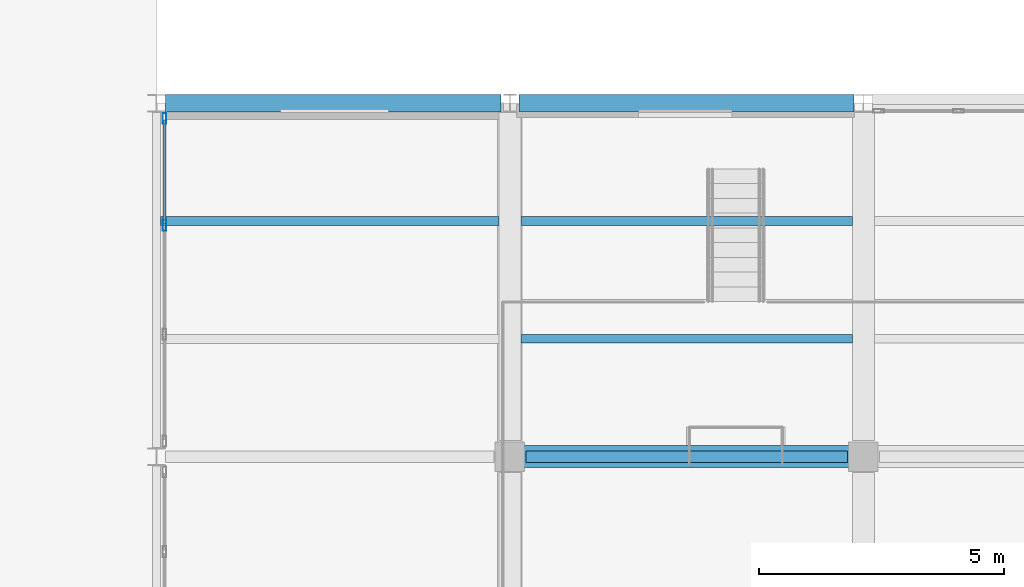
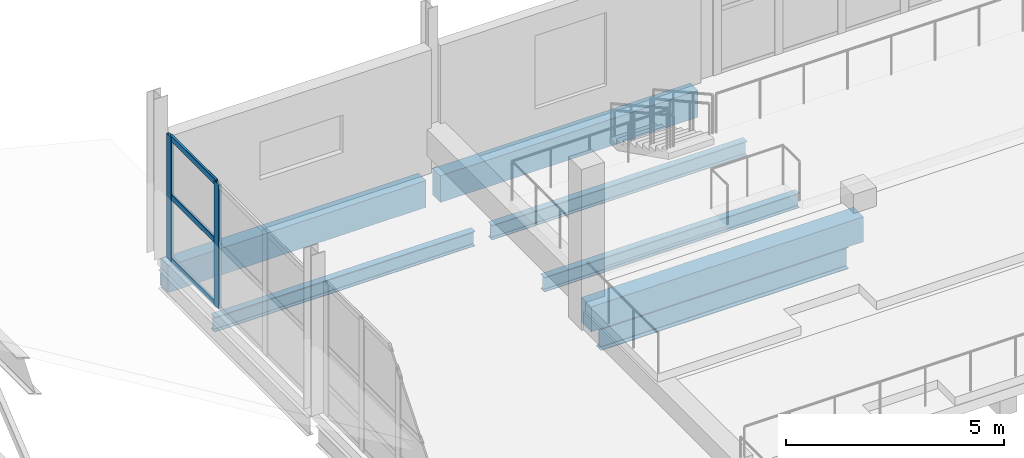
# One storey, part 40 of 123: 7 beams, 5 members, 1 element without a shape of its own.
"""IFC4 building model written with IfcOpenShell, lengths in metres."""

from ifc_helpers import new_model, si_unit, direction, frame, origin, origin_2d, place, context, subcontext, project, spatial, rectangle, hollow_rectangle, i_section, extrude, material, material_profile, profile_set, type_object, element, aggregate, save


model = new_model("IFC4")

# Units and contexts
model_context = context("Model", 3, precision=1e-05, world=origin(), true_north=direction((0.0, 1.0)))
body_context = subcontext(model_context, "Body", "Model", "MODEL_VIEW")
ifc_project = project(units=[si_unit("LENGTHUNIT", "METRE"), si_unit("AREAUNIT", "SQUARE_METRE"), si_unit("VOLUMEUNIT", "CUBIC_METRE"), si_unit("PLANEANGLEUNIT", "RADIAN"), si_unit("MASSUNIT", "GRAM", prefix="KILO")], contexts=[model_context])

# Site, building, storey
site_placement = place(None, origin())
site = spatial("IfcSite", under=ifc_project, at=site_placement, CompositionType="ELEMENT")
building_placement = place(site_placement, origin())
building = spatial("IfcBuilding", under=site, at=building_placement, Name="Kalmorath City Hall", CompositionType="ELEMENT")
storey_placement = place(building_placement, frame((0.0, 0.0, 10.199951171875)))
storey = spatial("IfcBuildingStorey", under=building, at=storey_placement, Name="L02", CompositionType="ELEMENT", Elevation=10.199951171875)

# Beam
ifc_material_1 = material(Name="Concrete C40/50", Category="concrete")
ifc_material_profile_1 = material_profile(ifc_material_1, rectangle(XDim=0.449951171875, YDim=0.699951171875, at=origin_2d()), Name="RC-BM-450X700")
ifc_profile_set_1 = profile_set([ifc_material_profile_1], Name="Concrete C40/50")
beam_type_1 = type_object("IfcBeamType", Name="Concrete floor beam 450x700", PredefinedType="BEAM", material=ifc_profile_set_1)
beam_1_placement = place(storey_placement, frame((122.39990234375, 36.0, 0.16015625), z_axis=(1.0, 0.0, 0.0), x_axis=(0.0, 1.0, 0.0)))
element("IfcBeam", 1, at=beam_1_placement, inside=storey, type_object=beam_type_1, Name="L02 gallery tier T2 support beam 122", PredefinedType="BEAM", context=body_context, shape_type="SweptSolid", body=[
    extrude(rectangle(XDim=0.449951171875, YDim=0.699951171875, at=origin_2d()), origin(), (0.0, 0.0, 1.0), 7.2001953125),
])

# Curtain wall, members
ifc_material_2 = material(Name="Anodised aluminium and laminated glass", Category="aluminium")
curtain_wall_type = type_object("IfcCurtainWallType", Name="Unitised hurricane curtain wall 6651x3471 M2100", PredefinedType="NOTDEFINED", material=ifc_material_2)
curtain_wall_placement = place(storey_placement, origin())
curtain_wall = element("IfcCurtainWall", 2, at=curtain_wall_placement, inside=storey, type_object=curtain_wall_type, Name="L02 curtain wall CW-67X35M21 #123", PredefinedType="NOTDEFINED")
ifc_material_3 = material(Name="Anodised aluminium framing", Category="aluminium")
ifc_material_profile_2 = material_profile(ifc_material_3, hollow_rectangle(XDim=0.074951171875, YDim=0.219970703125, WallThickness=0.00390625, InnerFilletRadius=0.00390625, OuterFilletRadius=0.008056640625, at=origin_2d()), Name="ALU-MUL-220X75X4")
ifc_profile_set_2 = profile_set([ifc_material_profile_2], Name="Anodised aluminium framing")
member_type_1 = type_object("IfcMemberType", Name="Curtain-wall primary mullion 220x75", PredefinedType="MULLION", material=ifc_profile_set_2)
member_1_placement = place(storey_placement, frame((115.360107421875, 40.70849609375, 0.0), z_axis=(0.0, 0.0, 1.0), x_axis=(-1.0, 0.0, 0.0)))
member_1 = element("IfcMember", 3, at=member_1_placement, type_object=member_type_1, Name="CW-67X35M21 mullion 3", PredefinedType="MULLION", context=body_context, shape_type="SweptSolid", body=[
    extrude(hollow_rectangle(XDim=0.074951171875, YDim=0.219970703125, WallThickness=0.00390625, InnerFilletRadius=0.00390625, OuterFilletRadius=0.008056640625, at=origin_2d()), origin(), (0.0, 0.0, 1.0), 3.470947265625),
])
member_2_placement = place(storey_placement, frame((115.360107421875, 42.887939453125, 0.0), z_axis=(0.0, 0.0, 1.0), x_axis=(-1.0, 0.0, 0.0)))
member_2 = element("IfcMember", 4, at=member_2_placement, type_object=member_type_1, Name="CW-67X35M21 mullion 4", PredefinedType="MULLION", context=body_context, shape_type="SweptSolid", body=[
    extrude(hollow_rectangle(XDim=0.074951171875, YDim=0.219970703125, WallThickness=0.00390625, InnerFilletRadius=0.00390625, OuterFilletRadius=0.008056640625, at=origin_2d()), origin(), (0.0, 0.0, 1.0), 3.470947265625),
])
ifc_material_4 = material(Name="Anodised aluminium framing", Category="aluminium")
ifc_material_profile_3 = material_profile(ifc_material_4, hollow_rectangle(XDim=0.06494140625, YDim=0.159912109375, WallThickness=0.00390625, InnerFilletRadius=0.00390625, OuterFilletRadius=0.008056640625, at=origin_2d()), Name="ALU-TRN-160X65X4")
ifc_profile_set_3 = profile_set([ifc_material_profile_3], Name="Anodised aluminium framing")
member_type_2 = type_object("IfcMemberType", Name="Curtain-wall primary transom 160x65", PredefinedType="USERDEFINED", material=ifc_profile_set_3)
member_3_placement = place(storey_placement, frame((115.360107421875, 40.74609375, 0.032470703125), z_axis=(0.0, 1.0, 0.0), x_axis=(-1.0, 0.0, 0.0)))
member_3 = element("IfcMember", 5, at=member_3_placement, type_object=member_type_2, Name="CW-67X35M21 transom 3.1", ObjectType="TRANSOM", PredefinedType="USERDEFINED", context=body_context, shape_type="SweptSolid", body=[
    extrude(hollow_rectangle(XDim=0.06494140625, YDim=0.159912109375, WallThickness=0.00390625, InnerFilletRadius=0.00390625, OuterFilletRadius=0.008056640625, at=origin_2d()), origin(), (0.0, 0.0, 1.0), 2.1044921875),
])
member_4_placement = place(storey_placement, frame((115.360107421875, 40.74609375, 1.804931640625), z_axis=(0.0, 1.0, 0.0), x_axis=(-1.0, 0.0, 0.0)))
member_4 = element("IfcMember", 6, at=member_4_placement, type_object=member_type_2, Name="CW-67X35M21 transom 3.2", ObjectType="TRANSOM", PredefinedType="USERDEFINED", context=body_context, shape_type="SweptSolid", body=[
    extrude(hollow_rectangle(XDim=0.06494140625, YDim=0.159912109375, WallThickness=0.00390625, InnerFilletRadius=0.00390625, OuterFilletRadius=0.008056640625, at=origin_2d()), origin(), (0.0, 0.0, 1.0), 2.1044921875),
])
member_5_placement = place(storey_placement, frame((115.360107421875, 40.74609375, 3.4384765625), z_axis=(0.0, 1.0, 0.0), x_axis=(-1.0, 0.0, 0.0)))
member_5 = element("IfcMember", 7, at=member_5_placement, type_object=member_type_2, Name="CW-67X35M21 transom 3.3", ObjectType="TRANSOM", PredefinedType="USERDEFINED", context=body_context, shape_type="SweptSolid", body=[
    extrude(hollow_rectangle(XDim=0.06494140625, YDim=0.159912109375, WallThickness=0.00390625, InnerFilletRadius=0.00390625, OuterFilletRadius=0.008056640625, at=origin_2d()), origin(), (0.0, 0.0, 1.0), 2.1044921875),
])
aggregate(curtain_wall, [member_1, member_2, member_3, member_4, member_5])

# Beams
ifc_material_5 = material(Name="Precast concrete C40/50", Category="concrete")
ifc_material_profile_4 = material_profile(ifc_material_5, rectangle(XDim=0.35009765625, YDim=0.75, at=origin_2d()), Name="PC-SP-350X750")
ifc_profile_set_4 = profile_set([ifc_material_profile_4], Name="Precast concrete C40/50")
beam_type_2 = type_object("IfcBeamType", Name="Precast spandrel lintel 350x750", PredefinedType="LINTEL", material=ifc_profile_set_4)
beam_2_placement = place(storey_placement, frame((115.386962890625, 43.199951171875, -0.658935546875), z_axis=(1.0, 0.0, 0.0), x_axis=(0.0, 1.0, 0.0)))
element("IfcBeam", 8, at=beam_2_placement, inside=storey, type_object=beam_type_2, Name="L02 girder PSB1 X17-18/7", PredefinedType="LINTEL", context=body_context, shape_type="SweptSolid", body=[
    extrude(rectangle(XDim=0.35009765625, YDim=0.75, at=origin_2d()), origin(), (0.0, 0.0, 1.0), 6.825927734375),
])
beam_3_placement = place(storey_placement, frame((122.5869140625, 43.199951171875, -0.658935546875), z_axis=(1.0, 0.0, 0.0), x_axis=(0.0, 1.0, 0.0)))
element("IfcBeam", 9, at=beam_3_placement, inside=storey, type_object=beam_type_2, Name="L02 girder PSB1 X18-19/7", PredefinedType="LINTEL", context=body_context, shape_type="SweptSolid", body=[
    extrude(rectangle(XDim=0.35009765625, YDim=0.75, at=origin_2d()), origin(), (0.0, 0.0, 1.0), 6.826171875),
])
ifc_material_6 = material(Name="Steel ASTM A992 Grade 50", Category="steel")
ifc_material_profile_5 = material_profile(ifc_material_6, i_section(OverallWidth=0.178955078125, OverallDepth=0.409912109375, WebThickness=0.0087890625, FlangeThickness=0.014404296875, FilletRadius=0.012939453125, at=origin_2d()), Name="W16X45")
ifc_profile_set_5 = profile_set([ifc_material_profile_5], Name="Steel ASTM A992 Grade 50")
beam_type_3 = type_object("IfcBeamType", Name="Steel composite joist W16X45", PredefinedType="JOIST", material=ifc_profile_set_5)
for number, where, z_axis, x_axis, name in (
    (10, (122.625, 38.39990234375, -0.489013671875), (1.0, 0.0, 0.0), (0.0, 1.0, 0.0), "L02 joist SJ6 18.6.1"),
    (11, (122.625, 40.800048828125, -0.489013671875), (1.0, 0.0, 0.0), (0.0, 1.0, 0.0), "L02 joist SJ6 18.6.2"),
):
    element("IfcBeam", number, at=place(storey_placement, frame(where, z_axis=z_axis, x_axis=x_axis)), inside=storey, type_object=beam_type_3, Name=name, PredefinedType="JOIST", context=body_context, shape_type="SweptSolid", body=[
        extrude(i_section(OverallWidth=0.178955078125, OverallDepth=0.409912109375, WebThickness=0.0087890625, FlangeThickness=0.014404296875, FilletRadius=0.012939453125, at=origin_2d()), origin(), (0.0, 0.0, 1.0), 6.75),
    ])
ifc_material_7 = material(Name="Steel ASTM A992 Grade 50", Category="steel")
ifc_material_profile_6 = material_profile(ifc_material_7, i_section(OverallWidth=0.180908203125, OverallDepth=0.4169921875, WebThickness=0.010986328125, FlangeThickness=0.018310546875, FilletRadius=0.012939453125, at=origin_2d()), Name="W16X57")
ifc_profile_set_6 = profile_set([ifc_material_profile_6], Name="Steel ASTM A992 Grade 50")
beam_type_4 = type_object("IfcBeamType", Name="Steel composite joist W16X57", PredefinedType="JOIST", material=ifc_profile_set_6)
beam_4_placement = place(storey_placement, frame((115.282470703125, 40.800048828125, -0.492431640625), z_axis=(1.0, 0.0, 0.0), x_axis=(0.0, 1.0, 0.0)))
element("IfcBeam", 12, at=beam_4_placement, inside=storey, type_object=beam_type_4, Name="L02 joist SJ5 17.6.2", PredefinedType="JOIST", context=body_context, shape_type="SweptSolid", body=[
    extrude(i_section(OverallWidth=0.180908203125, OverallDepth=0.4169921875, WebThickness=0.010986328125, FlangeThickness=0.018310546875, FilletRadius=0.012939453125, at=origin_2d()), origin(), (0.0, 0.0, 1.0), 6.892578125),
])
ifc_material_8 = material(Name="Steel ASTM A992 Grade 50", Category="steel")
ifc_material_profile_7 = material_profile(ifc_material_8, i_section(OverallWidth=0.22900390625, OverallDepth=0.612060546875, WebThickness=0.011962890625, FlangeThickness=0.01953125, FilletRadius=0.01611328125, at=origin_2d()), Name="W24X84")
ifc_profile_set_7 = profile_set([ifc_material_profile_7], Name="Steel ASTM A992 Grade 50")
beam_type_5 = type_object("IfcBeamType", Name="Steel floor girder W24X84", PredefinedType="BEAM", material=ifc_profile_set_7)
beam_5_placement = place(storey_placement, frame((122.72509765625, 36.0, -0.58984375), z_axis=(1.0, 0.0, 0.0), x_axis=(0.0, 1.0, 0.0)))
element("IfcBeam", 13, at=beam_5_placement, inside=storey, type_object=beam_type_5, Name="L02 girder SG8 X18-19/6", PredefinedType="BEAM", context=body_context, shape_type="SweptSolid", body=[
    extrude(i_section(OverallWidth=0.22900390625, OverallDepth=0.612060546875, WebThickness=0.011962890625, FlangeThickness=0.01953125, FilletRadius=0.01611328125, at=origin_2d()), origin(), (0.0, 0.0, 1.0), 6.5498046875),
])

save(model, "model.ifc")
